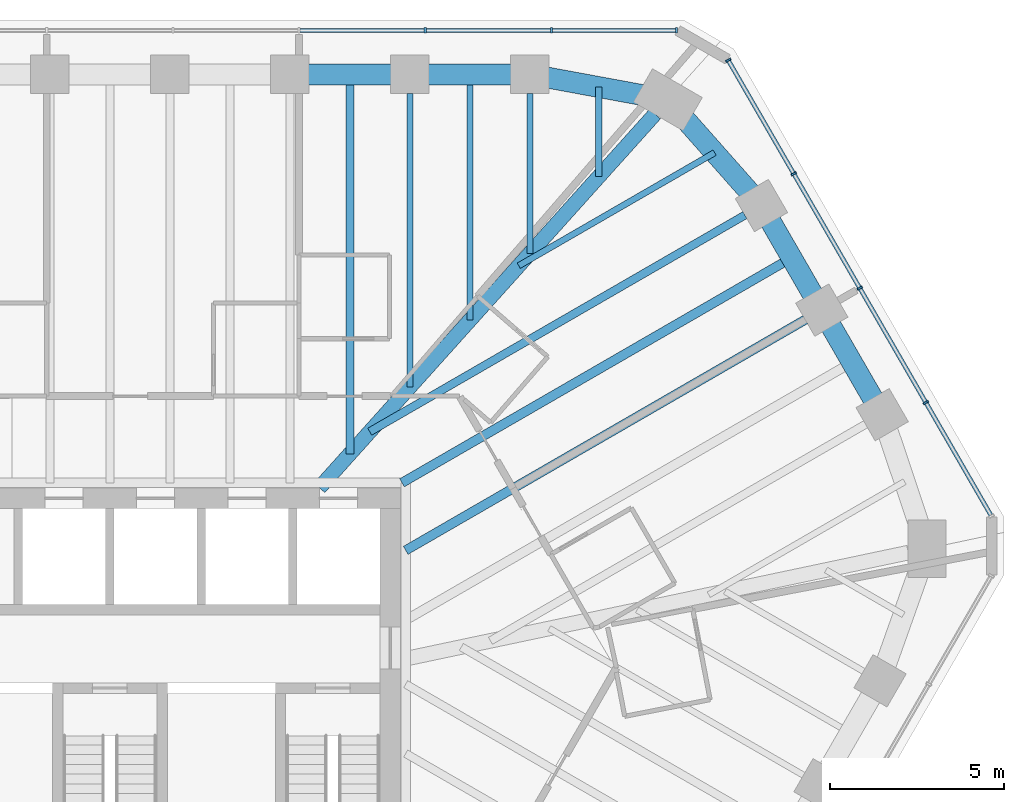
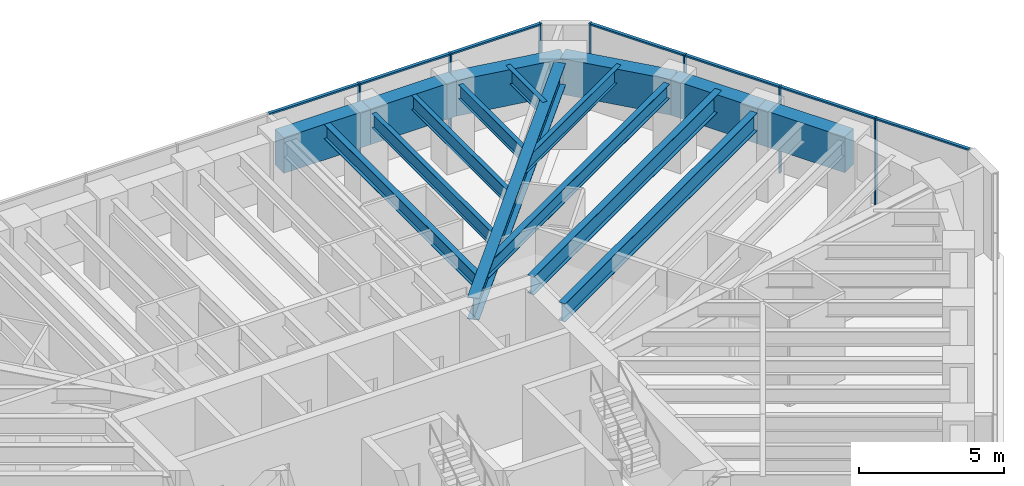
# One storey, part 7 of 14: 16 beams, 14 members, 2 elements without a shape of their own.
"""IFC4 building model written with IfcOpenShell, lengths in metres."""

from ifc_helpers import new_model, si_unit, direction, frame, origin, origin_2d, place, context, subcontext, project, spatial, rectangle, i_section, extrude, material, material_profile, profile_set, type_object, element, aggregate, save


model = new_model("IFC4")

# Units and contexts
model_context = context("Model", 3, precision=1e-05, world=origin(), true_north=direction((0.0, 1.0)))
body_context = subcontext(model_context, "Body", "Model", "MODEL_VIEW")
ifc_project = project(units=[si_unit("LENGTHUNIT", "METRE"), si_unit("AREAUNIT", "SQUARE_METRE"), si_unit("VOLUMEUNIT", "CUBIC_METRE"), si_unit("PLANEANGLEUNIT", "RADIAN"), si_unit("MASSUNIT", "GRAM", prefix="KILO")], contexts=[model_context])

# Site, building, storey
site_placement = place(None, origin())
site = spatial("IfcSite", under=ifc_project, at=site_placement, CompositionType="ELEMENT")
building_placement = place(site_placement, origin())
building = spatial("IfcBuilding", under=site, at=building_placement, Name="Sandreach Pilgrim Tower", CompositionType="ELEMENT")
storey_placement = place(building_placement, frame((0.0, 0.0, 279.800048828125)))
storey = spatial("IfcBuildingStorey", under=building, at=storey_placement, Name="L70", CompositionType="ELEMENT", Elevation=279.800048828125)

# Curtain wall, members
ifc_material_1 = material(Name="Aluminium framed curtain wall", Category="aluminium")
curtain_wall_type = type_object("IfcCurtainWallType", Name="Suite tower curtain wall", PredefinedType="NOTDEFINED", material=ifc_material_1)
curtain_wall_1_placement = place(storey_placement, origin())
curtain_wall_1 = element("IfcCurtainWall", 1, at=curtain_wall_1_placement, inside=storey, type_object=curtain_wall_type, Name="CW-4 L70 N", PredefinedType="NOTDEFINED")
ifc_material_2 = material(Name="Aluminium extrusion", Category="aluminium")
ifc_material_profile_1 = material_profile(ifc_material_2, rectangle(XDim=0.06005859375, YDim=0.159912109375, at=origin_2d()), Name="CW-4M 60X160")
ifc_profile_set_1 = profile_set([ifc_material_profile_1], Name="Aluminium extrusion")
member_type_1 = type_object("IfcMemberType", Name="CW-4 mullion", PredefinedType="MULLION", material=ifc_profile_set_1)
member_1_placement = place(storey_placement, frame((9.0546875, 19.826416015625, 0.0), z_axis=(0.0, 0.0, 1.0), x_axis=(1.0, 0.0, 0.0)))
member_1 = element("IfcMember", 2, at=member_1_placement, type_object=member_type_1, Name="CW-4 mullion 8", PredefinedType="MULLION", context=body_context, shape_type="SweptSolid", body=[
    extrude(rectangle(XDim=0.06005859375, YDim=0.159912109375, at=origin_2d()), origin(), (0.0, 0.0, 1.0), 3.639892578125),
])
member_2_placement = place(storey_placement, frame((12.676513671875, 19.826416015625, 0.0), z_axis=(0.0, 0.0, 1.0), x_axis=(1.0, 0.0, 0.0)))
member_2 = element("IfcMember", 3, at=member_2_placement, type_object=member_type_1, Name="CW-4 mullion 9", PredefinedType="MULLION", context=body_context, shape_type="SweptSolid", body=[
    extrude(rectangle(XDim=0.06005859375, YDim=0.159912109375, at=origin_2d()), origin(), (0.0, 0.0, 1.0), 3.639892578125),
])
member_3_placement = place(storey_placement, frame((16.268310546875, 19.826416015625, 0.0), z_axis=(0.0, 0.0, 1.0), x_axis=(1.0, 0.0, 0.0)))
member_3 = element("IfcMember", 4, at=member_3_placement, type_object=member_type_1, Name="CW-4 mullion 10", PredefinedType="MULLION", context=body_context, shape_type="SweptSolid", body=[
    extrude(rectangle(XDim=0.06005859375, YDim=0.159912109375, at=origin_2d()), origin(), (0.0, 0.0, 1.0), 3.639892578125),
])

curtain_wall_2_placement = place(storey_placement, origin())
curtain_wall_2 = element("IfcCurtainWall", 5, at=curtain_wall_2_placement, inside=storey, type_object=curtain_wall_type, Name="CW-4 L70 NE", PredefinedType="NOTDEFINED")
member_4_placement = place(storey_placement, frame((17.7509765625, 18.970458984375, 0.0), z_axis=(0.0, 0.0, 1.0), x_axis=(0.5, -0.866025403784, 0.0)))
member_4 = element("IfcMember", 6, at=member_4_placement, type_object=member_type_1, Name="CW-4 mullion 1", PredefinedType="MULLION", context=body_context, shape_type="SweptSolid", body=[
    extrude(rectangle(XDim=0.06005859375, YDim=0.159912109375, at=origin_2d()), origin(), (0.0, 0.0, 1.0), 3.639892578125),
])
member_5_placement = place(storey_placement, frame((19.6318359375, 15.712646484375, 0.0), z_axis=(0.0, 0.0, 1.0), x_axis=(0.5, -0.866025403784, 0.0)))
member_5 = element("IfcMember", 7, at=member_5_placement, type_object=member_type_1, Name="CW-4 mullion 2", PredefinedType="MULLION", context=body_context, shape_type="SweptSolid", body=[
    extrude(rectangle(XDim=0.06005859375, YDim=0.159912109375, at=origin_2d()), origin(), (0.0, 0.0, 1.0), 3.639892578125),
])
member_6_placement = place(storey_placement, frame((21.527587890625, 12.428955078125, 0.0), z_axis=(0.0, 0.0, 1.0), x_axis=(0.5, -0.866025403784, 0.0)))
member_6 = element("IfcMember", 8, at=member_6_placement, type_object=member_type_1, Name="CW-4 mullion 3", PredefinedType="MULLION", context=body_context, shape_type="SweptSolid", body=[
    extrude(rectangle(XDim=0.06005859375, YDim=0.159912109375, at=origin_2d()), origin(), (0.0, 0.0, 1.0), 3.639892578125),
])
member_7_placement = place(storey_placement, frame((23.423583984375, 9.145263671875, 0.0), z_axis=(0.0, 0.0, 1.0), x_axis=(0.5, -0.866025403784, 0.0)))
member_7 = element("IfcMember", 9, at=member_7_placement, type_object=member_type_1, Name="CW-4 mullion 4", PredefinedType="MULLION", context=body_context, shape_type="SweptSolid", body=[
    extrude(rectangle(XDim=0.06005859375, YDim=0.159912109375, at=origin_2d()), origin(), (0.0, 0.0, 1.0), 3.639892578125),
])

# Member
ifc_material_3 = material(Name="Aluminium extrusion", Category="aluminium")
ifc_material_profile_2 = material_profile(ifc_material_3, rectangle(XDim=0.1201171875, YDim=0.070068359375, at=origin_2d()), Name="CW-4T 120X70")
ifc_profile_set_2 = profile_set([ifc_material_profile_2], Name="Aluminium extrusion")
member_type_2 = type_object("IfcMemberType", Name="CW-4 transom", PredefinedType="USERDEFINED", material=ifc_profile_set_2)
member_8_placement = place(storey_placement, frame((5.462890625, 19.826416015625, 3.60498046875), z_axis=(1.0, 0.0, 0.0), x_axis=(0.0, 1.0, 0.0)))
member_8 = element("IfcMember", 10, at=member_8_placement, type_object=member_type_2, Name="CW-4 head transom 7", ObjectType="TRANSOM", PredefinedType="USERDEFINED", context=body_context, shape_type="SweptSolid", body=[
    extrude(rectangle(XDim=0.1201171875, YDim=0.070068359375, at=origin_2d()), origin(), (0.0, 0.0, 1.0), 3.561767578125),
])

member_9_placement = place(storey_placement, frame((9.084716796875, 19.826416015625, 3.60498046875), z_axis=(1.0, 0.0, 0.0), x_axis=(0.0, 1.0, 0.0)))
member_9 = element("IfcMember", 11, at=member_9_placement, type_object=member_type_2, Name="CW-4 head transom 8", ObjectType="TRANSOM", PredefinedType="USERDEFINED", context=body_context, shape_type="SweptSolid", body=[
    extrude(rectangle(XDim=0.1201171875, YDim=0.070068359375, at=origin_2d()), origin(), (0.0, 0.0, 1.0), 3.561767578125),
])

member_10_placement = place(storey_placement, frame((12.70654296875, 19.826416015625, 3.60498046875), z_axis=(1.0, 0.0, 0.0), x_axis=(0.0, 1.0, 0.0)))
member_10 = element("IfcMember", 12, at=member_10_placement, type_object=member_type_2, Name="CW-4 head transom 9", ObjectType="TRANSOM", PredefinedType="USERDEFINED", context=body_context, shape_type="SweptSolid", body=[
    extrude(rectangle(XDim=0.1201171875, YDim=0.070068359375, at=origin_2d()), origin(), (0.0, 0.0, 1.0), 3.53173828125),
])

aggregate(curtain_wall_1, [member_1, member_2, member_3, member_8, member_9, member_10])

member_11_placement = place(storey_placement, frame((17.76611328125, 18.944580078125, 3.60498046875), z_axis=(0.499990780478, -0.866030726613, 0.0), x_axis=(0.866030726613, 0.499990780478, 0.0)))
member_11 = element("IfcMember", 13, at=member_11_placement, type_object=member_type_2, Name="CW-4 head transom 1", ObjectType="TRANSOM", PredefinedType="USERDEFINED", context=body_context, shape_type="SweptSolid", body=[
    extrude(rectangle(XDim=0.1201171875, YDim=0.070068359375, at=origin_2d()), origin(), (0.0, 0.0, 1.0), 3.70166015625),
])

member_12_placement = place(storey_placement, frame((19.646728515625, 15.686767578125, 3.60498046875), z_axis=(0.500030151002, -0.866007995396, 0.0), x_axis=(0.866007995396, 0.500030151002, 0.0)))
member_12 = element("IfcMember", 14, at=member_12_placement, type_object=member_type_2, Name="CW-4 head transom 2", ObjectType="TRANSOM", PredefinedType="USERDEFINED", context=body_context, shape_type="SweptSolid", body=[
    extrude(rectangle(XDim=0.1201171875, YDim=0.070068359375, at=origin_2d()), origin(), (0.0, 0.0, 1.0), 3.731689453125),
])

member_13_placement = place(storey_placement, frame((21.542724609375, 12.403076171875, 3.60498046875), z_axis=(0.499981083104, -0.866036325184, 0.0), x_axis=(0.866036325184, 0.499981083104, 0.0)))
member_13 = element("IfcMember", 15, at=member_13_placement, type_object=member_type_2, Name="CW-4 head transom 3", ObjectType="TRANSOM", PredefinedType="USERDEFINED", context=body_context, shape_type="SweptSolid", body=[
    extrude(rectangle(XDim=0.1201171875, YDim=0.070068359375, at=origin_2d()), origin(), (0.0, 0.0, 1.0), 3.731689453125),
])

member_14_placement = place(storey_placement, frame((23.4384765625, 9.119384765625, 3.60498046875), z_axis=(0.499990780478, -0.866030726613, 0.0), x_axis=(0.866030726613, 0.499990780478, 0.0)))
member_14 = element("IfcMember", 16, at=member_14_placement, type_object=member_type_2, Name="CW-4 head transom 4", ObjectType="TRANSOM", PredefinedType="USERDEFINED", context=body_context, shape_type="SweptSolid", body=[
    extrude(rectangle(XDim=0.1201171875, YDim=0.070068359375, at=origin_2d()), origin(), (0.0, 0.0, 1.0), 3.70166015625),
])

aggregate(curtain_wall_2, [member_4, member_5, member_6, member_7, member_11, member_12, member_13, member_14])

# Beams
ifc_material_4 = material(Name="Steel ASTM A992 Grade 50", Category="steel")
ifc_material_profile_3 = material_profile(ifc_material_4, i_section(OverallWidth=0.419189453125, OverallDepth=0.927001953125, WebThickness=0.019287109375, FlangeThickness=0.031982421875, at=origin_2d()), Name="W36X231")
ifc_profile_set_3 = profile_set([ifc_material_profile_3], Name="Steel ASTM A992 Grade 50")
beam_type_1 = type_object("IfcBeamType", Name="Corner girder W36X231", PredefinedType="BEAM", material=ifc_profile_set_3)
beam_1_placement = place(storey_placement, frame((15.649169921875, 17.427978515625, 3.176513671875), z_axis=(-0.668114851597, -0.74405815974, 0.0), x_axis=(0.74405815974, -0.668114851597, 0.0)))
element("IfcBeam", 17, at=beam_1_placement, inside=storey, type_object=beam_type_1, Name="BM L70 CG09", PredefinedType="BEAM", context=body_context, shape_type="SweptSolid", body=[
    extrude(i_section(OverallWidth=0.419189453125, OverallDepth=0.927001953125, WebThickness=0.019287109375, FlangeThickness=0.031982421875, at=origin_2d()), origin(), (0.0, 0.0, 1.0), 14.418212890625),
])
ifc_material_5 = material(Name="Steel ASTM A992 Grade 50", Category="steel")
ifc_material_profile_4 = material_profile(ifc_material_5, i_section(OverallWidth=0.1787109375, OverallDepth=0.60205078125, WebThickness=0.010986328125, FlangeThickness=0.014892578125, at=origin_2d()), Name="W24X62")
ifc_profile_set_4 = profile_set([ifc_material_profile_4], Name="Steel ASTM A992 Grade 50")
beam_type_2 = type_object("IfcBeamType", Name="Floor beam W24X62", PredefinedType="BEAM", material=ifc_profile_set_4)
beam_2_placement = place(storey_placement, frame((8.612548828125, 18.016357421875, 3.3388671875), z_axis=(0.0, -1.0, 0.0), x_axis=(1.0, 0.0, 0.0)))
element("IfcBeam", 18, at=beam_2_placement, inside=storey, type_object=beam_type_2, Name="BM L70 F07", PredefinedType="BEAM", context=body_context, shape_type="SweptSolid", body=[
    extrude(i_section(OverallWidth=0.1787109375, OverallDepth=0.60205078125, WebThickness=0.010986328125, FlangeThickness=0.014892578125, at=origin_2d()), origin(), (0.0, 0.0, 1.0), 8.4248046875),
])
beam_3_placement = place(storey_placement, frame((12.0576171875, 18.016357421875, 3.3388671875), z_axis=(0.0, -1.0, 0.0), x_axis=(1.0, 0.0, 0.0)))
element("IfcBeam", 19, at=beam_3_placement, inside=storey, type_object=beam_type_2, Name="BM L70 F08", PredefinedType="BEAM", context=body_context, shape_type="SweptSolid", body=[
    extrude(i_section(OverallWidth=0.1787109375, OverallDepth=0.60205078125, WebThickness=0.010986328125, FlangeThickness=0.014892578125, at=origin_2d()), origin(), (0.0, 0.0, 1.0), 4.58837890625),
])
beam_4_placement = place(storey_placement, frame((10.3349609375, 18.56640625, 3.3388671875), z_axis=(0.0, -1.0, 0.0), x_axis=(1.0, 0.0, 0.0)))
element("IfcBeam", 20, at=beam_4_placement, inside=storey, type_object=beam_type_2, Name="BM L70 FM07", PredefinedType="BEAM", context=body_context, shape_type="SweptSolid", body=[
    extrude(i_section(OverallWidth=0.1787109375, OverallDepth=0.60205078125, WebThickness=0.010986328125, FlangeThickness=0.014892578125, at=origin_2d()), origin(), (0.0, 0.0, 1.0), 7.056640625),
])
beam_5_placement = place(storey_placement, frame((14.037109375, 18.201904296875, 3.3388671875), z_axis=(0.0, -1.0, 0.0), x_axis=(1.0, 0.0, 0.0)))
element("IfcBeam", 21, at=beam_5_placement, inside=storey, type_object=beam_type_2, Name="BM L70 FM08", PredefinedType="BEAM", context=body_context, shape_type="SweptSolid", body=[
    extrude(i_section(OverallWidth=0.1787109375, OverallDepth=0.60205078125, WebThickness=0.010986328125, FlangeThickness=0.014892578125, at=origin_2d()), origin(), (0.0, 0.0, 1.0), 2.5693359375),
])
beam_6_placement = place(storey_placement, frame((17.360107421875, 16.31884765625, 3.3388671875), z_axis=(-0.866023980233, -0.500002465655, 0.0), x_axis=(0.500002465655, -0.866023980233, 0.0)))
element("IfcBeam", 22, at=beam_6_placement, inside=storey, type_object=beam_type_2, Name="BM L70 FM09", PredefinedType="BEAM", context=body_context, shape_type="SweptSolid", body=[
    extrude(i_section(OverallWidth=0.1787109375, OverallDepth=0.60205078125, WebThickness=0.010986328125, FlangeThickness=0.014892578125, at=origin_2d()), origin(), (0.0, 0.0, 1.0), 6.49072265625),
])
ifc_material_6 = material(Name="Steel ASTM A992 Grade 50", Category="steel")
ifc_material_profile_5 = material_profile(ifc_material_6, i_section(OverallWidth=0.23046875, OverallDepth=0.6171875, WebThickness=0.01318359375, FlangeThickness=0.022216796875, at=origin_2d()), Name="W24X94")
ifc_profile_set_5 = profile_set([ifc_material_profile_5], Name="Steel ASTM A992 Grade 50")
beam_type_3 = type_object("IfcBeamType", Name="Floor beam W24X94", PredefinedType="BEAM", material=ifc_profile_set_5)
beam_7_placement = place(storey_placement, frame((18.227294921875, 14.525390625, 3.331298828125), z_axis=(-0.866020427415, -0.500008619226, 0.0), x_axis=(0.500008619226, -0.866020427415, 0.0)))
element("IfcBeam", 23, at=beam_7_placement, inside=storey, type_object=beam_type_3, Name="BM L70 F10", PredefinedType="BEAM", context=body_context, shape_type="SweptSolid", body=[
    extrude(i_section(OverallWidth=0.23046875, OverallDepth=0.6171875, WebThickness=0.01318359375, FlangeThickness=0.022216796875, at=origin_2d()), origin(), (0.0, 0.0, 1.0), 12.431396484375),
])
beam_8_placement = place(storey_placement, frame((6.89013671875, 18.56640625, 3.331298828125), z_axis=(0.0, -1.0, 0.0), x_axis=(1.0, 0.0, 0.0)))
element("IfcBeam", 24, at=beam_8_placement, inside=storey, type_object=beam_type_3, Name="BM L70 FM06", PredefinedType="BEAM", context=body_context, shape_type="SweptSolid", body=[
    extrude(i_section(OverallWidth=0.23046875, OverallDepth=0.6171875, WebThickness=0.01318359375, FlangeThickness=0.022216796875, at=origin_2d()), origin(), (0.0, 0.0, 1.0), 10.893310546875),
])
ifc_material_7 = material(Name="Steel ASTM A992 Grade 50", Category="steel")
ifc_material_profile_6 = material_profile(ifc_material_7, i_section(OverallWidth=0.2666015625, OverallDepth=0.761962890625, WebThickness=0.014404296875, FlangeThickness=0.021484375, at=origin_2d()), Name="W30X116")
ifc_profile_set_6 = profile_set([ifc_material_profile_6], Name="Steel ASTM A992 Grade 50")
beam_type_4 = type_object("IfcBeamType", Name="Floor beam W30X116", PredefinedType="BEAM", material=ifc_profile_set_6)
beam_9_placement = place(storey_placement, frame((19.960205078125, 11.52392578125, 3.259033203125), z_axis=(-0.86602530353, -0.500000173646, 0.0), x_axis=(0.500000173646, -0.86602530353, 0.0)))
element("IfcBeam", 25, at=beam_9_placement, inside=storey, type_object=beam_type_4, Name="BM L70 F11", PredefinedType="BEAM", context=body_context, shape_type="SweptSolid", body=[
    extrude(i_section(OverallWidth=0.2666015625, OverallDepth=0.761962890625, WebThickness=0.014404296875, FlangeThickness=0.021484375, at=origin_2d()), origin(), (0.0, 0.0, 1.0), 13.24072265625),
])
beam_10_placement = place(storey_placement, frame((19.570068359375, 13.299560546875, 3.259033203125), z_axis=(-0.866025008595, -0.500000684488, 0.0), x_axis=(0.500000684488, -0.866025008595, 0.0)))
element("IfcBeam", 26, at=beam_10_placement, inside=storey, type_object=beam_type_4, Name="BM L70 FM10", PredefinedType="BEAM", context=body_context, shape_type="SweptSolid", body=[
    extrude(i_section(OverallWidth=0.2666015625, OverallDepth=0.761962890625, WebThickness=0.014404296875, FlangeThickness=0.021484375, at=origin_2d()), origin(), (0.0, 0.0, 1.0), 12.91259765625),
])
ifc_material_8 = material(Name="Concrete 10000 psi", Category="concrete")
ifc_material_profile_7 = material_profile(ifc_material_8, rectangle(XDim=0.60009765625, YDim=1.5, at=origin_2d()), Name="RC600X1500")
ifc_profile_set_7 = profile_set([ifc_material_profile_7], Name="Concrete 10000 psi")
beam_type_5 = type_object("IfcBeamType", Name="Spandrel beam RC600X1500", PredefinedType="SPANDREL", material=ifc_profile_set_7)
for number, where, z_axis, x_axis, name in (
    (27, (5.16748046875, 18.56640625, 2.889892578125), (1.0, 0.0, 0.0), (0.0, 1.0, 0.0), "BM L70 SP06"),
    (28, (8.612548828125, 18.56640625, 2.889892578125), (1.0, 0.0, 0.0), (0.0, 1.0, 0.0), "BM L70 SP07"),
):
    element("IfcBeam", number, at=place(storey_placement, frame(where, z_axis=z_axis, x_axis=x_axis)), inside=storey, type_object=beam_type_5, Name=name, PredefinedType="SPANDREL", context=body_context, shape_type="SweptSolid", body=[
        extrude(rectangle(XDim=0.60009765625, YDim=1.5, at=origin_2d()), origin(), (0.0, 0.0, 1.0), 3.445068359375),
    ])
beam_11_placement = place(storey_placement, frame((12.0576171875, 18.56640625, 2.889892578125), z_axis=(0.983454894629, -0.181153167875, 0.0), x_axis=(0.181153167875, 0.983454894629, 0.0)))
element("IfcBeam", 29, at=beam_11_placement, inside=storey, type_object=beam_type_5, Name="BM L70 SP08", PredefinedType="SPANDREL", context=body_context, shape_type="SweptSolid", body=[
    extrude(rectangle(XDim=0.60009765625, YDim=1.5, at=origin_2d()), origin(), (0.0, 0.0, 1.0), 4.025634765625),
])
beam_12_placement = place(storey_placement, frame((16.0166015625, 17.837158203125, 2.889892578125), z_axis=(0.662650525414, -0.748928755736, 0.0), x_axis=(0.748928755736, 0.662650525414, 0.0)))
element("IfcBeam", 30, at=beam_12_placement, inside=storey, type_object=beam_type_5, Name="BM L70 SP09", PredefinedType="SPANDREL", context=body_context, shape_type="SweptSolid", body=[
    extrude(rectangle(XDim=0.60009765625, YDim=1.5, at=origin_2d()), origin(), (0.0, 0.0, 1.0), 4.054931640625),
])
for number, where, z_axis, x_axis, name in (
    (31, (18.70361328125, 14.80029296875, 2.889892578125), (0.500033451825, -0.866006089503, 0.0), (0.866006089503, 0.500033451825, 0.0), "BM L70 SP10"),
    (32, (20.4365234375, 11.799072265625, 2.889892578125), (0.499980616072, -0.866036594811, 0.0), (0.866036594811, 0.499980616072, 0.0), "BM L70 SP11"),
):
    element("IfcBeam", number, at=place(storey_placement, frame(where, z_axis=z_axis, x_axis=x_axis)), inside=storey, type_object=beam_type_5, Name=name, PredefinedType="SPANDREL", context=body_context, shape_type="SweptSolid", body=[
        extrude(rectangle(XDim=0.60009765625, YDim=1.5, at=origin_2d()), origin(), (0.0, 0.0, 1.0), 3.465576171875),
    ])

save(model, "model.ifc")
